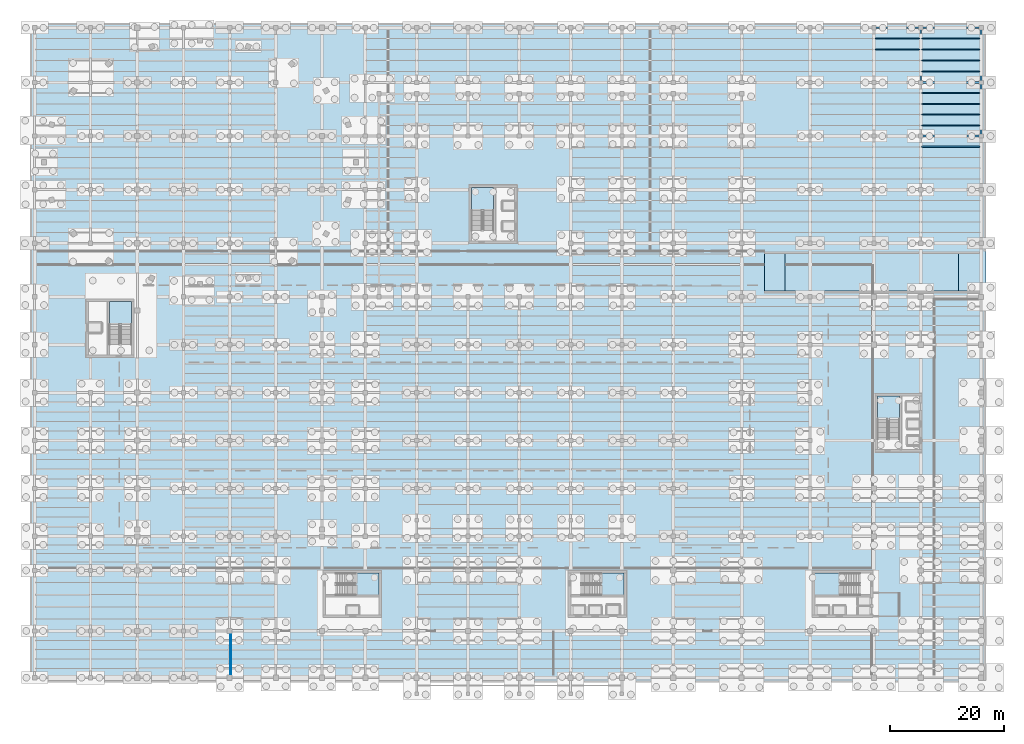
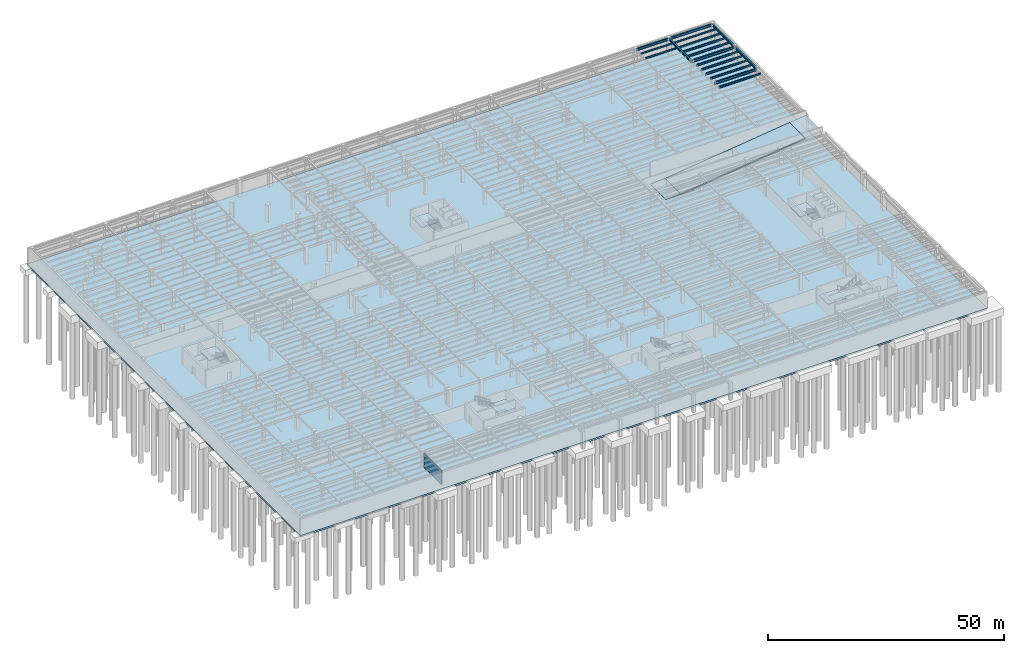
# One storey, part 28 of 49: 18 beams, 10 slabs, 1 wall, 6 elements without a shape of their own.
"""IFC4 building model written with IfcOpenShell, lengths in metres."""

from ifc_helpers import new_model, si_unit, direction, frame, frame_2d, origin, origin_2d, place, context, subcontext, project, spatial, polyline, rectangle, i_section, outline, extrude, material, layer, layer_set, material_profile, profile_set, type_object, element, aggregate, save


model = new_model("IFC4")

# Units and contexts
model_context = context("Model", 3, precision=1e-05, world=origin(), true_north=direction((0.0, 1.0)))
body_context = subcontext(model_context, "Body", "Model", "MODEL_VIEW")
ifc_project = project(units=[si_unit("LENGTHUNIT", "METRE"), si_unit("AREAUNIT", "SQUARE_METRE"), si_unit("VOLUMEUNIT", "CUBIC_METRE"), si_unit("PLANEANGLEUNIT", "RADIAN"), si_unit("MASSUNIT", "GRAM", prefix="KILO")], contexts=[model_context])

# Site, building, storey
site_placement = place(None, origin())
site = spatial("IfcSite", under=ifc_project, at=site_placement, CompositionType="ELEMENT")
building_placement = place(site_placement, origin())
building = spatial("IfcBuilding", under=site, at=building_placement, Name="Sollismere Congress Hotel", CompositionType="ELEMENT")
storey_placement = place(building_placement, frame((0.0, 0.0, -4.5)))
storey = spatial("IfcBuildingStorey", under=building, at=storey_placement, Name="B1", CompositionType="ELEMENT", Elevation=-4.5)

# Beams
ifc_material_1 = material(Name="Steel ASTM A992 Grade 50", Category="steel")
ifc_material_profile_1 = material_profile(ifc_material_1, i_section(OverallWidth=0.31494140625, OverallDepth=0.551025390625, WebThickness=0.01513671875, FlangeThickness=0.0244140625, at=origin_2d()), Name="W21X122")
ifc_profile_set_1 = profile_set([ifc_material_profile_1], Name="Steel ASTM A992 Grade 50")
beam_type_1 = type_object("IfcBeamType", Name="BM-G21H", PredefinedType="BEAM", material=ifc_profile_set_1)
beam_1_placement = place(storey_placement, frame((155.39990234375, 104.5400390625, 3.924560546875), z_axis=(0.0, 1.0, 0.0), x_axis=(-1.0, 0.0, 0.0)))
element("IfcBeam", 1, at=beam_1_placement, inside=storey, type_object=beam_type_1, Name="Beam BM-B1-0446", PredefinedType="BEAM", context=body_context, shape_type="SweptSolid", body=[
    extrude(i_section(OverallWidth=0.31494140625, OverallDepth=0.551025390625, WebThickness=0.01513671875, FlangeThickness=0.0244140625, at=origin_2d()), origin(), (0.0, 0.0, 1.0), 9.320068359375),
])
ifc_material_profile_2 = material_profile(ifc_material_1, i_section(OverallWidth=0.324951171875, OverallDepth=0.612060546875, WebThickness=0.0126953125, FlangeThickness=0.01904296875, at=origin_2d()), Name="W24X104")
ifc_profile_set_2 = profile_set([ifc_material_profile_2], Name="Steel ASTM A992 Grade 50")
beam_type_2 = type_object("IfcBeamType", Name="BM-G24", PredefinedType="BEAM", material=ifc_profile_set_2)
for number, where, z_axis, x_axis, name in (
    (2, (155.5400390625, 95.0, 3.89404296875), (1.0, 0.0, 0.0), (0.0, 1.0, 0.0), "Beam BM-B1-0191"),
    (3, (155.5400390625, 104.39990234375, 3.89404296875), (1.0, 0.0, 0.0), (0.0, 1.0, 0.0), "Beam BM-B1-0207"),
):
    element("IfcBeam", number, at=place(storey_placement, frame(where, z_axis=z_axis, x_axis=x_axis)), inside=storey, type_object=beam_type_2, Name=name, PredefinedType="BEAM", context=body_context, shape_type="SweptSolid", body=[
        extrude(i_section(OverallWidth=0.324951171875, OverallDepth=0.612060546875, WebThickness=0.0126953125, FlangeThickness=0.01904296875, at=origin_2d()), origin(), (0.0, 0.0, 1.0), 10.320068359375),
    ])
ifc_material_profile_3 = material_profile(ifc_material_1, i_section(OverallWidth=0.180908203125, OverallDepth=0.4169921875, WebThickness=0.010986328125, FlangeThickness=0.018310546875, at=origin_2d()), Name="W16X57")
ifc_profile_set_3 = profile_set([ifc_material_profile_3], Name="Steel ASTM A992 Grade 50")
beam_type_3 = type_object("IfcBeamType", Name="BM-J16", PredefinedType="JOIST", material=ifc_profile_set_3)
for number, where, z_axis, x_axis, name in (
    (4, (147.357421875, 110.159912109375, 3.991455078125), (1.0, 0.0, 0.0), (0.0, 1.0, 0.0), "Beam BM-B1-1087"),
    (5, (147.357421875, 112.080078125, 3.991455078125), (1.0, 0.0, 0.0), (0.0, 1.0, 0.0), "Beam BM-B1-1088"),
):
    element("IfcBeam", number, at=place(storey_placement, frame(where, z_axis=z_axis, x_axis=x_axis)), inside=storey, type_object=beam_type_3, Name=name, PredefinedType="JOIST", context=body_context, shape_type="SweptSolid", body=[
        extrude(i_section(OverallWidth=0.180908203125, OverallDepth=0.4169921875, WebThickness=0.010986328125, FlangeThickness=0.018310546875, at=origin_2d()), origin(), (0.0, 0.0, 1.0), 7.885009765625),
    ])
ifc_material_profile_4 = material_profile(ifc_material_1, i_section(OverallWidth=0.193115234375, OverallDepth=0.467041015625, WebThickness=0.011474609375, FlangeThickness=0.01904296875, at=origin_2d()), Name="W18X65")
ifc_profile_set_4 = profile_set([ifc_material_profile_4], Name="Steel ASTM A992 Grade 50")
beam_type_4 = type_object("IfcBeamType", Name="BM-J18", PredefinedType="JOIST", material=ifc_profile_set_4)
for number, where, z_axis, x_axis, name in (
    (6, (155.5576171875, 93.1201171875, 3.966552734375), (1.0, 0.0, 0.0), (0.0, 1.0, 0.0), "Beam BM-B1-1115"),
    (7, (155.5576171875, 96.8798828125, 3.966552734375), (1.0, 0.0, 0.0), (0.0, 1.0, 0.0), "Beam BM-B1-1116"),
    (8, (155.5576171875, 98.760009765625, 3.966552734375), (1.0, 0.0, 0.0), (0.0, 1.0, 0.0), "Beam BM-B1-1117"),
    (9, (155.5576171875, 100.639892578125, 3.966552734375), (1.0, 0.0, 0.0), (0.0, 1.0, 0.0), "Beam BM-B1-1118"),
    (10, (155.5576171875, 102.52001953125, 3.966552734375), (1.0, 0.0, 0.0), (0.0, 1.0, 0.0), "Beam BM-B1-1119"),
    (11, (155.5576171875, 106.320068359375, 3.966552734375), (1.0, 0.0, 0.0), (0.0, 1.0, 0.0), "Beam BM-B1-1120"),
    (12, (155.5576171875, 108.239990234375, 3.966552734375), (1.0, 0.0, 0.0), (0.0, 1.0, 0.0), "Beam BM-B1-1121"),
    (13, (155.5576171875, 110.159912109375, 3.966552734375), (1.0, 0.0, 0.0), (0.0, 1.0, 0.0), "Beam BM-B1-1122"),
    (14, (155.5576171875, 112.080078125, 3.966552734375), (1.0, 0.0, 0.0), (0.0, 1.0, 0.0), "Beam BM-B1-1123"),
):
    element("IfcBeam", number, at=place(storey_placement, frame(where, z_axis=z_axis, x_axis=x_axis)), inside=storey, type_object=beam_type_4, Name=name, PredefinedType="JOIST", context=body_context, shape_type="SweptSolid", body=[
        extrude(i_section(OverallWidth=0.193115234375, OverallDepth=0.467041015625, WebThickness=0.011474609375, FlangeThickness=0.01904296875, at=origin_2d()), origin(), (0.0, 0.0, 1.0), 10.27734375),
    ])
ifc_material_profile_5 = material_profile(ifc_material_1, i_section(OverallWidth=0.330078125, OverallDepth=0.635009765625, WebThickness=0.017822265625, FlangeThickness=0.031005859375, at=origin_2d()), Name="W24X162")
ifc_profile_set_5 = profile_set([ifc_material_profile_5], Name="Steel ASTM A992 Grade 50")
beam_type_5 = type_object("IfcBeamType", Name="BM-SP24E", PredefinedType="SPANDREL", material=ifc_profile_set_5)
beam_2_placement = place(storey_placement, frame((147.340087890625, 114.0, 3.882568359375), z_axis=(1.0, 0.0, 0.0), x_axis=(0.0, 1.0, 0.0)))
element("IfcBeam", 15, at=beam_2_placement, inside=storey, type_object=beam_type_5, Name="Beam BM-B1-0224", PredefinedType="SPANDREL", context=body_context, shape_type="SweptSolid", body=[
    extrude(i_section(OverallWidth=0.330078125, OverallDepth=0.635009765625, WebThickness=0.017822265625, FlangeThickness=0.031005859375, at=origin_2d()), origin(), (0.0, 0.0, 1.0), 7.919921875),
])
beam_3_placement = place(storey_placement, frame((155.5400390625, 114.0, 3.882568359375), z_axis=(1.0, 0.0, 0.0), x_axis=(0.0, 1.0, 0.0)))
element("IfcBeam", 16, at=beam_3_placement, inside=storey, type_object=beam_type_5, Name="Beam BM-B1-0225", PredefinedType="SPANDREL", context=body_context, shape_type="SweptSolid", body=[
    extrude(i_section(OverallWidth=0.330078125, OverallDepth=0.635009765625, WebThickness=0.017822265625, FlangeThickness=0.031005859375, at=origin_2d()), origin(), (0.0, 0.0, 1.0), 10.320068359375),
])
beam_4_placement = place(storey_placement, frame((166.0, 95.139892578125, 3.882568359375), z_axis=(0.0, 1.0, 0.0), x_axis=(-1.0, 0.0, 0.0)))
element("IfcBeam", 17, at=beam_4_placement, inside=storey, type_object=beam_type_5, Name="Beam BM-B1-0458", PredefinedType="SPANDREL", context=body_context, shape_type="SweptSolid", body=[
    extrude(i_section(OverallWidth=0.330078125, OverallDepth=0.635009765625, WebThickness=0.017822265625, FlangeThickness=0.031005859375, at=origin_2d()), origin(), (0.0, 0.0, 1.0), 9.1201171875),
])
beam_5_placement = place(storey_placement, frame((166.0, 104.5400390625, 3.882568359375), z_axis=(0.0, 1.0, 0.0), x_axis=(-1.0, 0.0, 0.0)))
element("IfcBeam", 18, at=beam_5_placement, inside=storey, type_object=beam_type_5, Name="Beam BM-B1-0459", PredefinedType="SPANDREL", context=body_context, shape_type="SweptSolid", body=[
    extrude(i_section(OverallWidth=0.330078125, OverallDepth=0.635009765625, WebThickness=0.017822265625, FlangeThickness=0.031005859375, at=origin_2d()), origin(), (0.0, 0.0, 1.0), 9.320068359375),
])

# Slab
ifc_material_2 = material(Name="Concrete C40/50", Category="concrete")
ifc_layer_1 = layer(ifc_material_2, 0.449951171875, Name="Concrete C40/50")
ifc_layer_set_1 = layer_set([ifc_layer_1], Name="Concrete C40/50")
slab_type_1 = type_object("IfcSlabType", Name="SL-BASE450", PredefinedType="BASESLAB", material=ifc_layer_set_1)
slab_1_placement = place(storey_placement, frame((0.0, 0.0, -0.449951171875)))
element("IfcSlab", 19, at=slab_1_placement, inside=storey, type_object=slab_type_1, Name="Slab SL-B1-01", PredefinedType="BASESLAB", context=body_context, shape_type="SweptSolid", body=[
    extrude(outline(polyline([(166.85009765625, -0.85009765625), (166.85009765625, 114.85009765625), (-0.85009765625, 114.85009765625), (-0.85009765625, -0.85009765625), (166.85009765625, -0.85009765625)]), holes=[polyline([(134.800048828125, 67.800048828125), (128.0, 67.800048828125), (128.0, 74.39990234375), (134.800048828125, 74.39990234375), (134.800048828125, 67.800048828125)])]), origin(), (0.0, 0.0, 1.0), 0.449951171875),
])

# Stair, slab
stair_type = type_object("IfcStairType", Name="STR-DL-450", PredefinedType="HALF_TURN_STAIR", material=ifc_material_2)
stair_1_placement = place(storey_placement, origin())
stair_1 = element("IfcStair", 20, at=stair_1_placement, inside=storey, type_object=stair_type, Name="Protected exit stair ST-01-B1", PredefinedType="HALF_TURN_STAIR")
ifc_layer_2 = layer(ifc_material_2, 0.199951171875, Name="Concrete C40/50")
ifc_layer_set_2 = layer_set([ifc_layer_2], Name="Concrete C40/50")
slab_type_2 = type_object("IfcSlabType", Name="SL-LND200", PredefinedType="LANDING", material=ifc_layer_set_2)
slab_2_placement = place(storey_placement, frame((0.0, 0.0, 2.050048828125)))
slab_2 = element("IfcSlab", 21, at=slab_2_placement, type_object=slab_type_2, Name="Exit stair half-landing ST-01-B1-L1", PredefinedType="LANDING", context=body_context, shape_type="SweptSolid", body=[
    extrude(outline(polyline([(141.27001953125, 18.35009765625), (136.800048828125, 18.35009765625), (136.800048828125, 14.449951171875), (141.27001953125, 14.449951171875), (141.27001953125, 18.35009765625)])), origin(), (0.0, 0.0, 1.0), 0.199951171875),
])
aggregate(stair_1, [slab_2])

stair_2_placement = place(storey_placement, origin())
stair_2 = element("IfcStair", 22, at=stair_2_placement, inside=storey, type_object=stair_type, Name="Protected exit stair ST-02-B1", PredefinedType="HALF_TURN_STAIR")
slab_3_placement = place(storey_placement, frame((0.0, 0.0, 2.050048828125)))
slab_3 = element("IfcSlab", 23, at=slab_3_placement, type_object=slab_type_2, Name="Exit stair half-landing ST-02-B1-L1", PredefinedType="LANDING", context=body_context, shape_type="SweptSolid", body=[
    extrude(outline(polyline([(99.330078125, 14.449951171875), (103.39990234375, 14.449951171875), (103.39990234375, 18.35009765625), (99.330078125, 18.35009765625), (99.330078125, 14.449951171875)])), origin(), (0.0, 0.0, 1.0), 0.199951171875),
])
aggregate(stair_2, [slab_3])

stair_3_placement = place(storey_placement, origin())
stair_3 = element("IfcStair", 24, at=stair_3_placement, inside=storey, type_object=stair_type, Name="Protected exit stair ST-03-B1", PredefinedType="HALF_TURN_STAIR")
slab_4_placement = place(storey_placement, frame((0.0, 0.0, 2.050048828125)))
slab_4 = element("IfcSlab", 25, at=slab_4_placement, type_object=slab_type_2, Name="Exit stair half-landing ST-03-B1-L1", PredefinedType="LANDING", context=body_context, shape_type="SweptSolid", body=[
    extrude(outline(polyline([(151.699951171875, 45.330078125), (151.699951171875, 49.39990234375), (147.800048828125, 49.39990234375), (147.800048828125, 45.330078125), (151.699951171875, 45.330078125)])), origin(), (0.0, 0.0, 1.0), 0.199951171875),
])
aggregate(stair_3, [slab_4])

stair_4_placement = place(storey_placement, origin())
stair_4 = element("IfcStair", 26, at=stair_4_placement, inside=storey, type_object=stair_type, Name="Protected exit stair ST-04-B1", PredefinedType="HALF_TURN_STAIR")
slab_5_placement = place(storey_placement, frame((0.0, 0.0, 2.050048828125)))
slab_5 = element("IfcSlab", 27, at=slab_5_placement, type_object=slab_type_2, Name="Exit stair half-landing ST-04-B1-L1", PredefinedType="LANDING", context=body_context, shape_type="SweptSolid", body=[
    extrude(outline(polyline([(80.5, 81.929931640625), (80.5, 86.0), (76.60009765625, 86.0), (76.60009765625, 81.929931640625), (80.5, 81.929931640625)])), origin(), (0.0, 0.0, 1.0), 0.199951171875),
])
aggregate(stair_4, [slab_5])

stair_5_placement = place(storey_placement, origin())
stair_5 = element("IfcStair", 28, at=stair_5_placement, inside=storey, type_object=stair_type, Name="Protected exit stair ST-05-B1", PredefinedType="HALF_TURN_STAIR")
slab_6_placement = place(storey_placement, frame((0.0, 0.0, 2.050048828125)))
slab_6 = element("IfcSlab", 29, at=slab_6_placement, type_object=slab_type_2, Name="Exit stair half-landing ST-05-B1-L1", PredefinedType="LANDING", context=body_context, shape_type="SweptSolid", body=[
    extrude(outline(polyline([(17.0, 61.929931640625), (17.0, 66.0), (13.10009765625, 66.0), (13.10009765625, 61.929931640625), (17.0, 61.929931640625)])), origin(), (0.0, 0.0, 1.0), 0.199951171875),
])
aggregate(stair_5, [slab_6])

stair_6_placement = place(storey_placement, origin())
stair_6 = element("IfcStair", 30, at=stair_6_placement, inside=storey, type_object=stair_type, Name="Protected exit stair ST-06-B1", PredefinedType="HALF_TURN_STAIR")
slab_7_placement = place(storey_placement, frame((0.0, 0.0, 2.050048828125)))
slab_7 = element("IfcSlab", 31, at=slab_7_placement, type_object=slab_type_2, Name="Exit stair half-landing ST-06-B1-L1", PredefinedType="LANDING", context=body_context, shape_type="SweptSolid", body=[
    extrude(outline(polyline([(56.330078125, 14.449951171875), (60.39990234375, 14.449951171875), (60.39990234375, 18.35009765625), (56.330078125, 18.35009765625), (56.330078125, 14.449951171875)])), origin(), (0.0, 0.0, 1.0), 0.199951171875),
])
aggregate(stair_6, [slab_7])

# Slabs
ifc_layer_3 = layer(ifc_material_2, 0.280029296875, Name="Concrete C40/50")
ifc_layer_set_3 = layer_set([ifc_layer_3], Name="Concrete C40/50")
slab_type_3 = type_object("IfcSlabType", Name="SL-RMP280", PredefinedType="FLOOR", material=ifc_layer_set_3)
slab_8_placement = place(storey_placement, frame((128.017578125, 67.800048828125, -0.279541015625), z_axis=(-0.062403568437, 0.0, 0.998050998019), x_axis=(0.998050998019, 0.0, 0.062403568437)))
element("IfcSlab", 32, at=slab_8_placement, inside=storey, type_object=slab_type_3, Name="Car park vehicle ramp structural slab VR-01", PredefinedType="FLOOR", context=body_context, shape_type="SweptSolid", body=[
    extrude(outline(polyline([(0.0, 0.0), (3.607177734375, 0.0), (3.607177734375, 6.599853515625), (0.0, 6.599853515625), (0.0, 0.0)])), origin(), (0.0, 0.0, 1.0), 0.280029296875),
])
slab_9_placement = place(storey_placement, frame((131.634765625, 67.800048828125, -0.052734375), z_axis=(-0.124028849819, 0.0, 0.992278612292), x_axis=(0.992278612292, 0.0, 0.124028849819)))
element("IfcSlab", 33, at=slab_9_placement, inside=storey, type_object=slab_type_3, Name="Car park vehicle ramp structural slab VR-02", PredefinedType="FLOOR", context=body_context, shape_type="SweptSolid", body=[
    extrude(outline(polyline([(0.0, 0.0), (30.636474609375, 0.0), (30.636474609375, 6.599853515625), (0.0, 6.599853515625), (0.0, 0.0)])), origin(), (0.0, 0.0, 1.0), 0.280029296875),
])
slab_10_placement = place(storey_placement, frame((162.032958984375, 67.800048828125, 3.746826171875), z_axis=(-0.117945378655, 0.0, 0.993020084215), x_axis=(0.993020084215, 0.0, 0.117945378655)))
element("IfcSlab", 34, at=slab_10_placement, inside=storey, type_object=slab_type_3, Name="Car park vehicle ramp structural slab VR-03", PredefinedType="FLOOR", context=body_context, shape_type="SweptSolid", body=[
    extrude(outline(polyline([(0.0, 0.0), (4.028076171875, 0.0), (4.028076171875, 6.599853515625), (0.0, 6.599853515625), (0.0, 0.0)])), origin(), (0.0, 0.0, 1.0), 0.280029296875),
])

# Wall
ifc_material_3 = material(Name="Fire-Rated Acoustic Gypsum Partition")
ifc_layer_4 = layer(ifc_material_3, 0.1650390625, Name="Fire-Rated Acoustic Gypsum Partition")
ifc_layer_set_4 = layer_set([ifc_layer_4], Name="Fire-Rated Acoustic Gypsum Partition")
wall_type = type_object("IfcWallType", Name="WL-PRT165R", PredefinedType="PARTITIONING", material=ifc_layer_set_4)
wall_placement = place(storey_placement, frame((34.39990234375, 0.5, 0.0), z_axis=(0.0, 0.0, 1.0), x_axis=(0.0, 1.0, 0.0)))
element("IfcWall", 35, at=wall_placement, inside=storey, type_object=wall_type, Name="Interior wall IW-B1-0764", PredefinedType="PARTITIONING", context=body_context, shape_type="SweptSolid", body=[
    extrude(rectangle(XDim=7.39990234375, YDim=0.1650390625, at=frame_2d((3.699951171875, 0.0))), origin(), (0.0, 0.0, 1.0), 3.64892578125),
])

save(model, "model.ifc")
